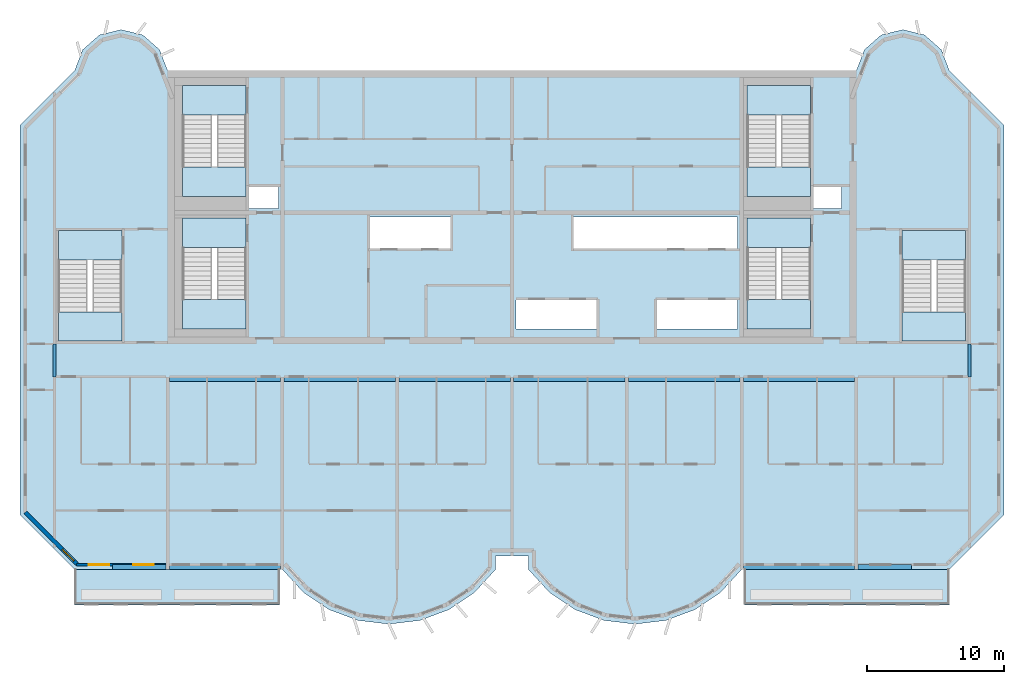
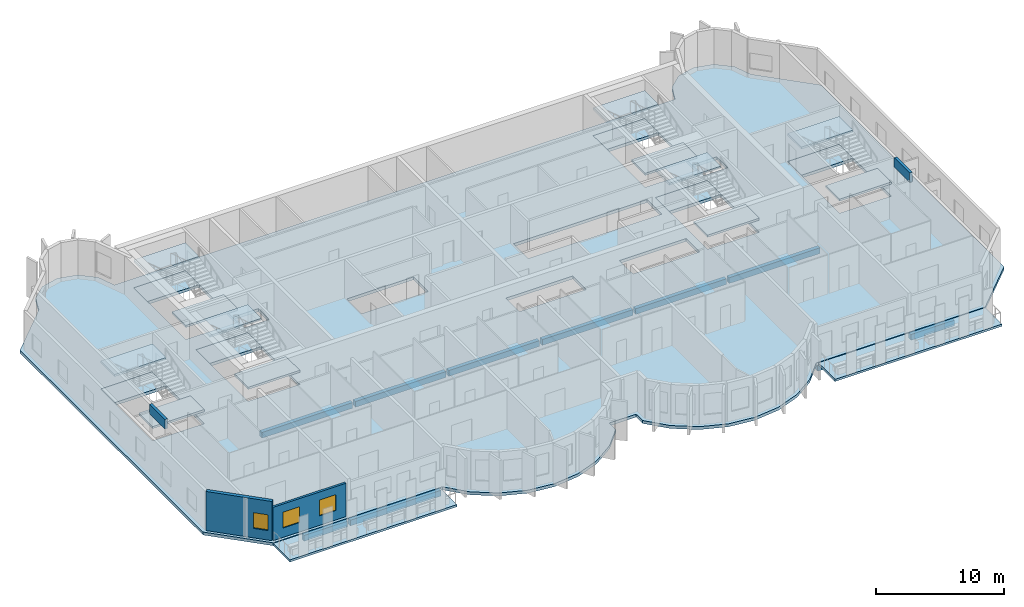
# One storey, part 1 of 12: 21 slabs, 12 beams, 3 windows, 2 walls, 3 openings, 6 elements without a shape of their own.
"""IFC4 building model written with IfcOpenShell, lengths in metres."""

from ifc_helpers import new_model, si_unit, direction, frame, frame_2d, origin, origin_2d, place, context, subcontext, project, spatial, polyline, rectangle, outline, extrude, source, transform, mapped, material, layer, layer_set, material_profile, profile_set, type_object, element, fill, aggregate, save


model = new_model("IFC4")

# Units and contexts
model_context = context("Model", 3, precision=1e-05, world=origin(), true_north=direction((0.0, 1.0)))
body_context = subcontext(model_context, "Body", "Model", "MODEL_VIEW")
ifc_project = project(units=[si_unit("LENGTHUNIT", "METRE"), si_unit("AREAUNIT", "SQUARE_METRE"), si_unit("VOLUMEUNIT", "CUBIC_METRE"), si_unit("PLANEANGLEUNIT", "RADIAN"), si_unit("MASSUNIT", "GRAM", prefix="KILO")], contexts=[model_context])

# Site, building, storey
site_placement = place(None, origin())
site = spatial("IfcSite", under=ifc_project, at=site_placement, CompositionType="ELEMENT")
building_placement = place(site_placement, origin())
building = spatial("IfcBuilding", under=site, at=building_placement, Name="Vanashikhar Sky Hotel", CompositionType="ELEMENT")
storey_placement = place(building_placement, frame((0.0, 0.0, 285.699951171875)))
storey = spatial("IfcBuildingStorey", under=building, at=storey_placement, Name="L68", CompositionType="ELEMENT", Elevation=285.699951171875)

# Beams
ifc_material_1 = material(Name="Concrete M50", Category="concrete")
ifc_material_profile_1 = material_profile(ifc_material_1, rectangle(XDim=0.25, YDim=0.89990234375, at=origin_2d()))
ifc_profile_set_1 = profile_set([ifc_material_profile_1], Name="RC 250x900 beam Concrete M50")
beam_type_1 = type_object("IfcBeamType", Name="RC 250x900 beam Concrete M50", PredefinedType="LINTEL", material=ifc_profile_set_1)
shared_shape_1 = source(origin(), body_context, "Body", "SweptSolid", [
    extrude(rectangle(XDim=0.25, YDim=0.89990234375, at=origin_2d()), origin(), (0.0, 0.0, 1.0), 2.39990234375),
])
for number, where, z_axis, x_axis, name in (
    (1, (16.925048828125, 19.60009765625, 3.27001953125), (0.0, 1.0, 0.0), (-1.0, 0.0, 0.0), "LB-L68-XW03"),
    (2, (83.875, 19.60009765625, 3.27001953125), (0.0, 1.0, 0.0), (-1.0, 0.0, 0.0), "LB-L68-XW11"),
):
    element("IfcBeam", number, at=place(storey_placement, frame(where, z_axis=z_axis, x_axis=x_axis)), inside=storey, type_object=beam_type_1, Name=name, PredefinedType="LINTEL", context=body_context, shape_type="MappedRepresentation", body=[
        mapped(shared_shape_1, transform((0.0, 0.0, 0.0), scale=1.0)),
    ])
ifc_material_profile_2 = material_profile(ifc_material_1, rectangle(XDim=0.35009765625, YDim=0.550048828125, at=origin_2d()))
ifc_profile_set_2 = profile_set([ifc_material_profile_2], Name="RC 350x550 beam Concrete M50")
beam_type_2 = type_object("IfcBeamType", Name="RC 350x550 beam Concrete M50", PredefinedType="SPANDREL", material=ifc_profile_set_2)
shared_shape_2 = source(origin(), body_context, "Body", "SweptSolid", [
    extrude(rectangle(XDim=0.35009765625, YDim=0.550048828125, at=origin_2d()), origin(), (0.0, 0.0, 1.0), 8.150146484375),
])
for number, where, z_axis, x_axis, name in (
    (3, (25.324951171875, 5.675048828125, -0.554931640625), (1.0, 0.0, 0.0), (0.0, 1.0, 0.0), "EB-L68-F01"),
    (4, (67.324951171875, 5.675048828125, -0.554931640625), (1.0, 0.0, 0.0), (0.0, 1.0, 0.0), "EB-L68-F03"),
    (5, (25.324951171875, 19.425048828125, -0.554931640625), (1.0, 0.0, 0.0), (0.0, 1.0, 0.0), "CB-L68-01"),
    (6, (50.52490234375, 19.425048828125, -0.554931640625), (1.0, 0.0, 0.0), (0.0, 1.0, 0.0), "CB-L68-04"),
    (7, (67.324951171875, 19.425048828125, -0.554931640625), (1.0, 0.0, 0.0), (0.0, 1.0, 0.0), "CB-L68-06"),
):
    element("IfcBeam", number, at=place(storey_placement, frame(where, z_axis=z_axis, x_axis=x_axis)), inside=storey, type_object=beam_type_2, Name=name, PredefinedType="SPANDREL", context=body_context, shape_type="MappedRepresentation", body=[
        mapped(shared_shape_2, transform((0.0, 0.0, 0.0), scale=1.0)),
    ])
ifc_material_profile_3 = material_profile(ifc_material_1, rectangle(XDim=0.35009765625, YDim=0.550048828125, at=origin_2d()))
ifc_profile_set_3 = profile_set([ifc_material_profile_3], Name="RC 350x550 cantilever beam Concrete M50")
beam_type_3 = type_object("IfcBeamType", Name="RC 350x550 cantilever beam Concrete M50", PredefinedType="SPANDREL", material=ifc_profile_set_3)
shared_shape_3 = source(origin(), body_context, "Body", "SweptSolid", [
    extrude(rectangle(XDim=0.35009765625, YDim=0.550048828125, at=origin_2d()), origin(), (0.0, 0.0, 1.0), 3.89990234375),
])
for number, where, z_axis, x_axis, name in (
    (8, (21.175048828125, 5.675048828125, -0.554931640625), (1.0, 0.0, 0.0), (0.0, 1.0, 0.0), "EB-L68-F02"),
    (9, (75.72509765625, 5.675048828125, -0.554931640625), (1.0, 0.0, 0.0), (0.0, 1.0, 0.0), "EB-L68-F04"),
):
    element("IfcBeam", number, at=place(storey_placement, frame(where, z_axis=z_axis, x_axis=x_axis)), inside=storey, type_object=beam_type_3, Name=name, PredefinedType="SPANDREL", context=body_context, shape_type="MappedRepresentation", body=[
        mapped(shared_shape_3, transform((0.0, 0.0, 0.0), scale=1.0)),
    ])
shared_shape_4 = source(origin(), body_context, "Body", "SweptSolid", [
    extrude(rectangle(XDim=0.35009765625, YDim=0.550048828125, at=origin_2d()), origin(), (0.0, 0.0, 1.0), 8.14990234375),
])
for number, where, z_axis, x_axis, name in (
    (10, (33.72509765625, 19.425048828125, -0.554931640625), (1.0, 0.0, 0.0), (0.0, 1.0, 0.0), "CB-L68-02"),
    (11, (42.125, 19.425048828125, -0.554931640625), (1.0, 0.0, 0.0), (0.0, 1.0, 0.0), "CB-L68-03"),
    (12, (58.925048828125, 19.425048828125, -0.554931640625), (1.0, 0.0, 0.0), (0.0, 1.0, 0.0), "CB-L68-05"),
):
    element("IfcBeam", number, at=place(storey_placement, frame(where, z_axis=z_axis, x_axis=x_axis)), inside=storey, type_object=beam_type_2, Name=name, PredefinedType="SPANDREL", context=body_context, shape_type="MappedRepresentation", body=[
        mapped(shared_shape_4, transform((0.0, 0.0, 0.0), scale=1.0)),
    ])

# Slabs
ifc_material_2 = material(Name="Concrete M40", Category="concrete")
ifc_layer_1 = layer(ifc_material_2, 0.280029296875)
ifc_layer_set_1 = layer_set([ifc_layer_1], Name="Floor slab 280 mm")
slab_type_1 = type_object("IfcSlabType", Name="Floor slab 280 mm", PredefinedType="FLOOR", material=ifc_layer_set_1)
shared_shape_5 = source(origin(), body_context, "Body", "SweptSolid", [
    extrude(outline(polyline([(49.199951171875, 5.5), (49.199951171875, 6.5), (51.60009765625, 6.5), (51.60009765625, 5.5), (53.133056640625, 3.825927734375), (55.01708984375, 2.55810546875), (57.14599609375, 1.76806640625), (59.39990234375, 1.5), (61.654052734375, 1.76806640625), (63.782958984375, 2.55810546875), (65.6669921875, 3.825927734375), (67.199951171875, 5.5), (82.39990234375, 5.5), (86.39990234375, 9.5), (86.39990234375, 38.0), (82.39990234375, 42.0), (81.81494140625, 43.527099609375), (80.587890625, 44.610107421875), (79.0, 45.0), (77.412109375, 44.610107421875), (76.18505859375, 43.527099609375), (75.60009765625, 42.0), (25.199951171875, 42.0), (24.614990234375, 43.527099609375), (23.387939453125, 44.610107421875), (21.800048828125, 45.0), (20.2119140625, 44.610107421875), (18.985107421875, 43.527099609375), (18.39990234375, 42.0), (14.39990234375, 38.0), (14.39990234375, 9.5), (18.39990234375, 5.5), (33.60009765625, 5.5), (35.133056640625, 3.825927734375), (37.01708984375, 2.55810546875), (39.14599609375, 1.76806640625), (41.39990234375, 1.5), (43.654052734375, 1.76806640625), (45.782958984375, 2.55810546875), (47.6669921875, 3.825927734375), (49.199951171875, 5.5)]), holes=[polyline([(33.300048828125, 33.60009765625), (31.050048828125, 33.60009765625), (31.050048828125, 31.89990234375), (33.300048828125, 31.89990234375), (33.300048828125, 33.60009765625)]), polyline([(39.89990234375, 31.300048828125), (39.89990234375, 29.0), (45.89990234375, 29.0), (45.89990234375, 31.300048828125), (39.89990234375, 31.300048828125)]), polyline([(50.699951171875, 25.199951171875), (50.699951171875, 23.10009765625), (56.699951171875, 23.10009765625), (56.699951171875, 25.199951171875), (50.699951171875, 25.199951171875)]), polyline([(66.89990234375, 29.0), (66.89990234375, 31.300048828125), (54.89990234375, 31.300048828125), (54.89990234375, 29.0), (66.89990234375, 29.0)]), polyline([(60.89990234375, 25.199951171875), (60.89990234375, 23.10009765625), (66.89990234375, 23.10009765625), (66.89990234375, 25.199951171875), (60.89990234375, 25.199951171875)]), polyline([(74.5, 33.60009765625), (72.35009765625, 33.60009765625), (72.35009765625, 31.89990234375), (74.5, 31.89990234375), (74.5, 33.60009765625)]), polyline([(30.949951171875, 23.10009765625), (30.949951171875, 31.199951171875), (26.300048828125, 31.199951171875), (26.300048828125, 23.10009765625), (30.949951171875, 23.10009765625)]), polyline([(72.25, 23.10009765625), (72.25, 31.199951171875), (67.60009765625, 31.199951171875), (67.60009765625, 23.10009765625), (72.25, 23.10009765625)]), polyline([(30.949951171875, 32.800048828125), (30.949951171875, 40.89990234375), (26.300048828125, 40.89990234375), (26.300048828125, 32.800048828125), (30.949951171875, 32.800048828125)]), polyline([(72.25, 32.800048828125), (72.25, 40.89990234375), (67.60009765625, 40.89990234375), (67.60009765625, 32.800048828125), (72.25, 32.800048828125)]), polyline([(83.60009765625, 22.199951171875), (83.60009765625, 30.300048828125), (78.949951171875, 30.300048828125), (78.949951171875, 22.199951171875), (83.60009765625, 22.199951171875)]), polyline([(21.85009765625, 22.199951171875), (21.85009765625, 30.300048828125), (17.199951171875, 30.300048828125), (17.199951171875, 22.199951171875), (21.85009765625, 22.199951171875)])]), origin(), (0.0, 0.0, 1.0), 0.280029296875),
])
slab_1_placement = place(storey_placement, frame((0.0, 0.0, -0.280029296875)))
element("IfcSlab", 13, at=slab_1_placement, inside=storey, type_object=slab_type_1, Name="Floor slab L68", PredefinedType="FLOOR", context=body_context, shape_type="MappedRepresentation", body=[
    mapped(shared_shape_5, transform((0.0, 0.0, 0.0), scale=1.0)),
])
ifc_layer_2 = layer(ifc_material_2, 0.199951171875)
ifc_layer_set_2 = layer_set([ifc_layer_2], Name="Balcony slab 200 mm")
slab_type_2 = type_object("IfcSlabType", Name="Balcony slab 200 mm", PredefinedType="USERDEFINED", material=ifc_layer_set_2)
shared_shape_6 = source(origin(), body_context, "Body", "SweptSolid", [
    extrude(outline(polyline([(18.39990234375, 2.89990234375), (33.39990234375, 2.89990234375), (33.39990234375, 5.5), (18.39990234375, 5.5), (18.39990234375, 2.89990234375)])), origin(), (0.0, 0.0, 1.0), 0.199951171875),
])
slab_2_placement = place(storey_placement, frame((0.0, 0.0, -0.25)))
element("IfcSlab", 14, at=slab_2_placement, inside=storey, type_object=slab_type_2, Name="Balcony slab L68 1", ObjectType="BALCONY", PredefinedType="USERDEFINED", context=body_context, shape_type="MappedRepresentation", body=[
    mapped(shared_shape_6, transform((0.0, 0.0, 0.0), scale=1.0)),
])
shared_shape_7 = source(origin(), body_context, "Body", "SweptSolid", [
    extrude(outline(polyline([(67.39990234375, 2.89990234375), (82.39990234375, 2.89990234375), (82.39990234375, 5.5), (67.39990234375, 5.5), (67.39990234375, 2.89990234375)])), origin(), (0.0, 0.0, 1.0), 0.199951171875),
])
slab_3_placement = place(storey_placement, frame((0.0, 0.0, -0.25)))
element("IfcSlab", 15, at=slab_3_placement, inside=storey, type_object=slab_type_2, Name="Balcony slab L68 2", ObjectType="BALCONY", PredefinedType="USERDEFINED", context=body_context, shape_type="MappedRepresentation", body=[
    mapped(shared_shape_7, transform((0.0, 0.0, 0.0), scale=1.0)),
])

# Stair, slabs
stair_type = type_object("IfcStairType", Name="Exit stair 2150", PredefinedType="DOUBLE_RETURN_STAIR", material=ifc_material_2)
stair_1_placement = place(storey_placement, origin())
stair_1 = element("IfcStair", 16, at=stair_1_placement, inside=storey, type_object=stair_type, Name="L68 Exit stair 1", PredefinedType="DOUBLE_RETURN_STAIR")
ifc_layer_3 = layer(ifc_material_2, 0.199951171875)
ifc_layer_set_3 = layer_set([ifc_layer_3], Name="Stair landing 200")
slab_type_3 = type_object("IfcSlabType", Name="Stair landing 200", PredefinedType="LANDING", material=ifc_layer_set_3)
shared_shape_8 = source(origin(), body_context, "Body", "SweptSolid", [
    extrude(outline(polyline([(30.949951171875, 29.050048828125), (30.949951171875, 31.199951171875), (26.300048828125, 31.199951171875), (26.300048828125, 29.050048828125), (30.949951171875, 29.050048828125)])), origin(), (0.0, 0.0, 1.0), 0.199951171875),
])
slab_4_placement = place(storey_placement, frame((0.0, 0.0, 2.466796875)))
slab_4 = element("IfcSlab", 17, at=slab_4_placement, type_object=slab_type_3, Name="ST-C1 landing 2", PredefinedType="LANDING", context=body_context, shape_type="MappedRepresentation", body=[
    mapped(shared_shape_8, transform((0.0, 0.0, 0.0), scale=1.0)),
])
shared_shape_9 = source(origin(), body_context, "Body", "SweptSolid", [
    extrude(outline(polyline([(30.949951171875, 23.10009765625), (30.949951171875, 25.25), (26.300048828125, 25.25), (26.300048828125, 23.10009765625), (30.949951171875, 23.10009765625)])), origin(), (0.0, 0.0, 1.0), 0.2001953125),
])
slab_5_placement = place(storey_placement, frame((0.0, 0.0, 1.13330078125)))
slab_5 = element("IfcSlab", 18, at=slab_5_placement, type_object=slab_type_3, Name="ST-C1 landing 1", PredefinedType="LANDING", context=body_context, shape_type="MappedRepresentation", body=[
    mapped(shared_shape_9, transform((0.0, 0.0, 0.0), scale=1.0)),
])
aggregate(stair_1, [slab_5, slab_4])

# Slab
ifc_layer_4 = layer(ifc_material_2, 0.280029296875)
ifc_layer_set_4 = layer_set([ifc_layer_4], Name="Stair floor landing 280")
slab_type_4 = type_object("IfcSlabType", Name="Stair floor landing 280", PredefinedType="LANDING", material=ifc_layer_set_4)
shared_shape_10 = source(origin(), body_context, "Body", "SweptSolid", [
    extrude(outline(polyline([(30.949951171875, 29.050048828125), (30.949951171875, 31.199951171875), (26.300048828125, 31.199951171875), (26.300048828125, 29.050048828125), (30.949951171875, 29.050048828125)])), origin(), (0.0, 0.0, 1.0), 0.280029296875),
])
slab_6_placement = place(storey_placement, frame((0.0, 0.0, -0.280029296875)))
element("IfcSlab", 19, at=slab_6_placement, inside=storey, type_object=slab_type_4, Name="Exit stair 1 floor landing", PredefinedType="LANDING", context=body_context, shape_type="MappedRepresentation", body=[
    mapped(shared_shape_10, transform((0.0, 0.0, 0.0), scale=1.0)),
])

# Stair, slabs
stair_2_placement = place(storey_placement, origin())
stair_2 = element("IfcStair", 20, at=stair_2_placement, inside=storey, type_object=stair_type, Name="L68 Exit stair 2", PredefinedType="DOUBLE_RETURN_STAIR")
shared_shape_11 = source(origin(), body_context, "Body", "SweptSolid", [
    extrude(outline(polyline([(72.25, 29.050048828125), (72.25, 31.199951171875), (67.60009765625, 31.199951171875), (67.60009765625, 29.050048828125), (72.25, 29.050048828125)])), origin(), (0.0, 0.0, 1.0), 0.199951171875),
])
slab_7_placement = place(storey_placement, frame((0.0, 0.0, 2.466796875)))
slab_7 = element("IfcSlab", 21, at=slab_7_placement, type_object=slab_type_3, Name="ST-C2 landing 2", PredefinedType="LANDING", context=body_context, shape_type="MappedRepresentation", body=[
    mapped(shared_shape_11, transform((0.0, 0.0, 0.0), scale=1.0)),
])
shared_shape_12 = source(origin(), body_context, "Body", "SweptSolid", [
    extrude(outline(polyline([(72.25, 23.10009765625), (72.25, 25.25), (67.60009765625, 25.25), (67.60009765625, 23.10009765625), (72.25, 23.10009765625)])), origin(), (0.0, 0.0, 1.0), 0.2001953125),
])
slab_8_placement = place(storey_placement, frame((0.0, 0.0, 1.13330078125)))
slab_8 = element("IfcSlab", 22, at=slab_8_placement, type_object=slab_type_3, Name="ST-C2 landing 1", PredefinedType="LANDING", context=body_context, shape_type="MappedRepresentation", body=[
    mapped(shared_shape_12, transform((0.0, 0.0, 0.0), scale=1.0)),
])
aggregate(stair_2, [slab_8, slab_7])

# Slab
shared_shape_13 = source(origin(), body_context, "Body", "SweptSolid", [
    extrude(outline(polyline([(72.25, 29.050048828125), (72.25, 31.199951171875), (67.60009765625, 31.199951171875), (67.60009765625, 29.050048828125), (72.25, 29.050048828125)])), origin(), (0.0, 0.0, 1.0), 0.280029296875),
])
slab_9_placement = place(storey_placement, frame((0.0, 0.0, -0.280029296875)))
element("IfcSlab", 23, at=slab_9_placement, inside=storey, type_object=slab_type_4, Name="Exit stair 2 floor landing", PredefinedType="LANDING", context=body_context, shape_type="MappedRepresentation", body=[
    mapped(shared_shape_13, transform((0.0, 0.0, 0.0), scale=1.0)),
])

# Stair, slabs
stair_3_placement = place(storey_placement, origin())
stair_3 = element("IfcStair", 24, at=stair_3_placement, inside=storey, type_object=stair_type, Name="L68 Exit stair 3", PredefinedType="DOUBLE_RETURN_STAIR")
shared_shape_14 = source(origin(), body_context, "Body", "SweptSolid", [
    extrude(outline(polyline([(21.85009765625, 28.14990234375), (21.85009765625, 30.300048828125), (17.199951171875, 30.300048828125), (17.199951171875, 28.14990234375), (21.85009765625, 28.14990234375)])), origin(), (0.0, 0.0, 1.0), 0.199951171875),
])
slab_10_placement = place(storey_placement, frame((0.0, 0.0, 2.466796875)))
slab_10 = element("IfcSlab", 25, at=slab_10_placement, type_object=slab_type_3, Name="ST-W landing 2", PredefinedType="LANDING", context=body_context, shape_type="MappedRepresentation", body=[
    mapped(shared_shape_14, transform((0.0, 0.0, 0.0), scale=1.0)),
])
shared_shape_15 = source(origin(), body_context, "Body", "SweptSolid", [
    extrude(outline(polyline([(21.85009765625, 22.199951171875), (21.85009765625, 24.35009765625), (17.199951171875, 24.35009765625), (17.199951171875, 22.199951171875), (21.85009765625, 22.199951171875)])), origin(), (0.0, 0.0, 1.0), 0.2001953125),
])
slab_11_placement = place(storey_placement, frame((0.0, 0.0, 1.13330078125)))
slab_11 = element("IfcSlab", 26, at=slab_11_placement, type_object=slab_type_3, Name="ST-W landing 1", PredefinedType="LANDING", context=body_context, shape_type="MappedRepresentation", body=[
    mapped(shared_shape_15, transform((0.0, 0.0, 0.0), scale=1.0)),
])
aggregate(stair_3, [slab_11, slab_10])

# Slab
shared_shape_16 = source(origin(), body_context, "Body", "SweptSolid", [
    extrude(outline(polyline([(21.85009765625, 28.14990234375), (21.85009765625, 30.300048828125), (17.199951171875, 30.300048828125), (17.199951171875, 28.14990234375), (21.85009765625, 28.14990234375)])), origin(), (0.0, 0.0, 1.0), 0.280029296875),
])
slab_12_placement = place(storey_placement, frame((0.0, 0.0, -0.280029296875)))
element("IfcSlab", 27, at=slab_12_placement, inside=storey, type_object=slab_type_4, Name="Exit stair 3 floor landing", PredefinedType="LANDING", context=body_context, shape_type="MappedRepresentation", body=[
    mapped(shared_shape_16, transform((0.0, 0.0, 0.0), scale=1.0)),
])

# Stair, slabs
stair_4_placement = place(storey_placement, origin())
stair_4 = element("IfcStair", 28, at=stair_4_placement, inside=storey, type_object=stair_type, Name="L68 Exit stair 4", PredefinedType="DOUBLE_RETURN_STAIR")
shared_shape_17 = source(origin(), body_context, "Body", "SweptSolid", [
    extrude(outline(polyline([(83.60009765625, 28.14990234375), (83.60009765625, 30.300048828125), (78.949951171875, 30.300048828125), (78.949951171875, 28.14990234375), (83.60009765625, 28.14990234375)])), origin(), (0.0, 0.0, 1.0), 0.199951171875),
])
slab_13_placement = place(storey_placement, frame((0.0, 0.0, 2.466796875)))
slab_13 = element("IfcSlab", 29, at=slab_13_placement, type_object=slab_type_3, Name="ST-E landing 2", PredefinedType="LANDING", context=body_context, shape_type="MappedRepresentation", body=[
    mapped(shared_shape_17, transform((0.0, 0.0, 0.0), scale=1.0)),
])
shared_shape_18 = source(origin(), body_context, "Body", "SweptSolid", [
    extrude(outline(polyline([(83.60009765625, 22.199951171875), (83.60009765625, 24.35009765625), (78.949951171875, 24.35009765625), (78.949951171875, 22.199951171875), (83.60009765625, 22.199951171875)])), origin(), (0.0, 0.0, 1.0), 0.2001953125),
])
slab_14_placement = place(storey_placement, frame((0.0, 0.0, 1.13330078125)))
slab_14 = element("IfcSlab", 30, at=slab_14_placement, type_object=slab_type_3, Name="ST-E landing 1", PredefinedType="LANDING", context=body_context, shape_type="MappedRepresentation", body=[
    mapped(shared_shape_18, transform((0.0, 0.0, 0.0), scale=1.0)),
])
aggregate(stair_4, [slab_14, slab_13])

# Slab
shared_shape_19 = source(origin(), body_context, "Body", "SweptSolid", [
    extrude(outline(polyline([(83.60009765625, 28.14990234375), (83.60009765625, 30.300048828125), (78.949951171875, 30.300048828125), (78.949951171875, 28.14990234375), (83.60009765625, 28.14990234375)])), origin(), (0.0, 0.0, 1.0), 0.280029296875),
])
slab_15_placement = place(storey_placement, frame((0.0, 0.0, -0.280029296875)))
element("IfcSlab", 31, at=slab_15_placement, inside=storey, type_object=slab_type_4, Name="Exit stair 4 floor landing", PredefinedType="LANDING", context=body_context, shape_type="MappedRepresentation", body=[
    mapped(shared_shape_19, transform((0.0, 0.0, 0.0), scale=1.0)),
])

# Stair, slabs
stair_5_placement = place(storey_placement, origin())
stair_5 = element("IfcStair", 32, at=stair_5_placement, inside=storey, type_object=stair_type, Name="L68 Exit stair 5", PredefinedType="DOUBLE_RETURN_STAIR")
shared_shape_20 = source(origin(), body_context, "Body", "SweptSolid", [
    extrude(outline(polyline([(30.949951171875, 38.75), (30.949951171875, 40.89990234375), (26.300048828125, 40.89990234375), (26.300048828125, 38.75), (30.949951171875, 38.75)])), origin(), (0.0, 0.0, 1.0), 0.199951171875),
])
slab_16_placement = place(storey_placement, frame((0.0, 0.0, 2.466796875)))
slab_16 = element("IfcSlab", 33, at=slab_16_placement, type_object=slab_type_3, Name="ST-C3 landing 2", PredefinedType="LANDING", context=body_context, shape_type="MappedRepresentation", body=[
    mapped(shared_shape_20, transform((0.0, 0.0, 0.0), scale=1.0)),
])
shared_shape_21 = source(origin(), body_context, "Body", "SweptSolid", [
    extrude(outline(polyline([(30.949951171875, 32.800048828125), (30.949951171875, 34.949951171875), (26.300048828125, 34.949951171875), (26.300048828125, 32.800048828125), (30.949951171875, 32.800048828125)])), origin(), (0.0, 0.0, 1.0), 0.2001953125),
])
slab_17_placement = place(storey_placement, frame((0.0, 0.0, 1.13330078125)))
slab_17 = element("IfcSlab", 34, at=slab_17_placement, type_object=slab_type_3, Name="ST-C3 landing 1", PredefinedType="LANDING", context=body_context, shape_type="MappedRepresentation", body=[
    mapped(shared_shape_21, transform((0.0, 0.0, 0.0), scale=1.0)),
])
aggregate(stair_5, [slab_17, slab_16])

# Slab
shared_shape_22 = source(origin(), body_context, "Body", "SweptSolid", [
    extrude(outline(polyline([(30.949951171875, 38.75), (30.949951171875, 40.89990234375), (26.300048828125, 40.89990234375), (26.300048828125, 38.75), (30.949951171875, 38.75)])), origin(), (0.0, 0.0, 1.0), 0.280029296875),
])
slab_18_placement = place(storey_placement, frame((0.0, 0.0, -0.280029296875)))
element("IfcSlab", 35, at=slab_18_placement, inside=storey, type_object=slab_type_4, Name="Exit stair 5 floor landing", PredefinedType="LANDING", context=body_context, shape_type="MappedRepresentation", body=[
    mapped(shared_shape_22, transform((0.0, 0.0, 0.0), scale=1.0)),
])

# Stair, slabs
stair_6_placement = place(storey_placement, origin())
stair_6 = element("IfcStair", 36, at=stair_6_placement, inside=storey, type_object=stair_type, Name="L68 Exit stair 6", PredefinedType="DOUBLE_RETURN_STAIR")
shared_shape_23 = source(origin(), body_context, "Body", "SweptSolid", [
    extrude(outline(polyline([(72.25, 38.75), (72.25, 40.89990234375), (67.60009765625, 40.89990234375), (67.60009765625, 38.75), (72.25, 38.75)])), origin(), (0.0, 0.0, 1.0), 0.199951171875),
])
slab_19_placement = place(storey_placement, frame((0.0, 0.0, 2.466796875)))
slab_19 = element("IfcSlab", 37, at=slab_19_placement, type_object=slab_type_3, Name="ST-C4 landing 2", PredefinedType="LANDING", context=body_context, shape_type="MappedRepresentation", body=[
    mapped(shared_shape_23, transform((0.0, 0.0, 0.0), scale=1.0)),
])
shared_shape_24 = source(origin(), body_context, "Body", "SweptSolid", [
    extrude(outline(polyline([(72.25, 32.800048828125), (72.25, 34.949951171875), (67.60009765625, 34.949951171875), (67.60009765625, 32.800048828125), (72.25, 32.800048828125)])), origin(), (0.0, 0.0, 1.0), 0.2001953125),
])
slab_20_placement = place(storey_placement, frame((0.0, 0.0, 1.13330078125)))
slab_20 = element("IfcSlab", 38, at=slab_20_placement, type_object=slab_type_3, Name="ST-C4 landing 1", PredefinedType="LANDING", context=body_context, shape_type="MappedRepresentation", body=[
    mapped(shared_shape_24, transform((0.0, 0.0, 0.0), scale=1.0)),
])
aggregate(stair_6, [slab_20, slab_19])

# Slab
shared_shape_25 = source(origin(), body_context, "Body", "SweptSolid", [
    extrude(outline(polyline([(72.25, 38.75), (72.25, 40.89990234375), (67.60009765625, 40.89990234375), (67.60009765625, 38.75), (72.25, 38.75)])), origin(), (0.0, 0.0, 1.0), 0.280029296875),
])
slab_21_placement = place(storey_placement, frame((0.0, 0.0, -0.280029296875)))
element("IfcSlab", 39, at=slab_21_placement, inside=storey, type_object=slab_type_4, Name="Exit stair 6 floor landing", PredefinedType="LANDING", context=body_context, shape_type="MappedRepresentation", body=[
    mapped(shared_shape_25, transform((0.0, 0.0, 0.0), scale=1.0)),
])

# Wall, openings, windows
ifc_layer_5 = layer(ifc_material_1, 0.199951171875)
ifc_layer_set_5 = layer_set([ifc_layer_5], Name="Front window wall 200")
wall_type_1 = type_object("IfcWallType", Name="Front window wall 200", PredefinedType="SOLIDWALL", material=ifc_layer_set_5)
shared_shape_26 = source(origin(), body_context, "Body", "SweptSolid", [
    extrude(rectangle(XDim=6.530029296875, YDim=0.199951171875, at=frame_2d((3.26513671875, 0.0))), origin(), (0.0, 0.0, 1.0), 3.170166015625),
])
wall_1_placement = place(storey_placement, frame((18.544921875, 5.85009765625, 0.0), z_axis=(0.0, 0.0, 1.0), x_axis=(1.0, 0.0, 0.0)))
wall_1 = element("IfcWall", 40, at=wall_1_placement, inside=storey, type_object=wall_type_1, Name="Front window wall", PredefinedType="SOLIDWALL", context=body_context, shape_type="MappedRepresentation", body=[
    mapped(shared_shape_26, transform((0.0, 0.0, 0.0), scale=1.0)),
])
shared_shape_27 = source(origin(), body_context, "Body", "SweptSolid", [
    extrude(rectangle(XDim=1.5, YDim=1.5, at=frame_2d((0.75, 0.75))), frame((0.0, 0.10986328125, 0.0), z_axis=(0.0, -1.0, 0.0), x_axis=(1.0, 0.0, 0.0)), (0.0, 0.0, 1.0), 0.219970703125),
])
opening_1_placement = place(wall_1_placement, frame((0.882568359375, 0.0, 0.89990234375)))
opening_1 = element("IfcOpeningElement", 41, at=opening_1_placement, cuts=wall_1, Name="Opening WN-1", PredefinedType="OPENING", context=body_context, shape_type="MappedRepresentation", body=[
    mapped(shared_shape_27, transform((0.0, 0.0, 0.0), scale=1.0)),
])
opening_2_placement = place(wall_1_placement, frame((4.1474609375, 0.0, 0.89990234375)))
opening_2 = element("IfcOpeningElement", 42, at=opening_2_placement, cuts=wall_1, Name="Opening WN-1", PredefinedType="OPENING", context=body_context, shape_type="MappedRepresentation", body=[
    mapped(shared_shape_27, transform((0.0, 0.0, 0.0), scale=1.0)),
])
ifc_material_3 = material(Name="Glass", Category="glass")
window_type_1 = type_object("IfcWindowType", Name="Window 1500 x 1500", PartitioningType="SINGLE_PANEL", PredefinedType="WINDOW", material=ifc_material_3)
shared_shape_28 = source(origin(), body_context, "Body", "SweptSolid", [
    extrude(rectangle(XDim=1.5, YDim=1.5, at=frame_2d((0.75, 0.75))), frame((0.0, 0.030029296875, 0.0), z_axis=(0.0, -1.0, 0.0), x_axis=(1.0, 0.0, 0.0)), (0.0, 0.0, 1.0), 0.06005859375),
])
window_1_placement = place(opening_1_placement, origin())
window_1 = element("IfcWindow", 43, at=window_1_placement, inside=storey, type_object=window_type_1, Name="Window WN-1", OverallHeight=1.5, OverallWidth=1.5, PartitioningType="SINGLE_PANEL", PredefinedType="WINDOW", context=body_context, shape_type="MappedRepresentation", body=[
    mapped(shared_shape_28, transform((0.0, 0.0, 0.0), scale=1.0)),
])
fill(opening_1, window_1)
window_2_placement = place(opening_2_placement, origin())
window_2 = element("IfcWindow", 44, at=window_2_placement, inside=storey, type_object=window_type_1, Name="Window WN-1", OverallHeight=1.5, OverallWidth=1.5, PartitioningType="SINGLE_PANEL", PredefinedType="WINDOW", context=body_context, shape_type="MappedRepresentation", body=[
    mapped(shared_shape_28, transform((0.0, 0.0, 0.0), scale=1.0)),
])
fill(opening_2, window_2)

# Wall, opening, window
ifc_layer_6 = layer(ifc_material_1, 0.300048828125)
ifc_layer_set_6 = layer_set([ifc_layer_6], Name="Lobe wall 300")
wall_type_2 = type_object("IfcWallType", Name="Lobe wall 300", PredefinedType="SOLIDWALL", material=ifc_layer_set_6)
shared_shape_29 = source(origin(), body_context, "Body", "SweptSolid", [
    extrude(rectangle(XDim=5.32568359375, YDim=0.300048828125, at=frame_2d((2.662841796875, 0.0))), origin(), (0.0, 0.0, 1.0), 3.719970703125),
])
wall_2_placement = place(storey_placement, frame((14.800048828125, 9.665771484375, 0.0), z_axis=(0.0, 0.0, 1.0), x_axis=(0.707083859269, -0.707129702361, 0.0)))
wall_2 = element("IfcWall", 45, at=wall_2_placement, inside=storey, type_object=wall_type_2, Name="Corner wall", PredefinedType="SOLIDWALL", context=body_context, shape_type="MappedRepresentation", body=[
    mapped(shared_shape_29, transform((0.0, 0.0, 0.0), scale=1.0)),
])
shared_shape_30 = source(origin(), body_context, "Body", "SweptSolid", [
    extrude(rectangle(XDim=1.199951171875, YDim=1.5, at=frame_2d((0.60009765625, 0.75))), frame((0.0, 0.16015625, 0.0), z_axis=(0.0, -1.0, 0.0), x_axis=(1.0, 0.0, 0.0)), (0.0, 0.0, 1.0), 0.320068359375),
])
opening_3_placement = place(wall_2_placement, frame((3.8154296875, 0.0, 0.89990234375)))
opening_3 = element("IfcOpeningElement", 46, at=opening_3_placement, cuts=wall_2, Name="Opening WN-3", PredefinedType="OPENING", context=body_context, shape_type="MappedRepresentation", body=[
    mapped(shared_shape_30, transform((0.0, 0.0, 0.0), scale=1.0)),
])
window_type_2 = type_object("IfcWindowType", Name="Corridor end window 1200 x 1500", PartitioningType="SINGLE_PANEL", PredefinedType="WINDOW", material=ifc_material_3)
shared_shape_31 = source(origin(), body_context, "Body", "SweptSolid", [
    extrude(rectangle(XDim=1.199951171875, YDim=1.5, at=frame_2d((0.60009765625, 0.75))), frame((0.0, 0.030029296875, 0.0), z_axis=(0.0, -1.0, 0.0), x_axis=(1.0, 0.0, 0.0)), (0.0, 0.0, 1.0), 0.06005859375),
])
window_3_placement = place(opening_3_placement, origin())
window_3 = element("IfcWindow", 47, at=window_3_placement, inside=storey, type_object=window_type_2, Name="Window WN-3", OverallHeight=1.5, OverallWidth=1.199951171875, PartitioningType="SINGLE_PANEL", PredefinedType="WINDOW", context=body_context, shape_type="MappedRepresentation", body=[
    mapped(shared_shape_31, transform((0.0, 0.0, 0.0), scale=1.0)),
])
fill(opening_3, window_3)

save(model, "model.ifc")
